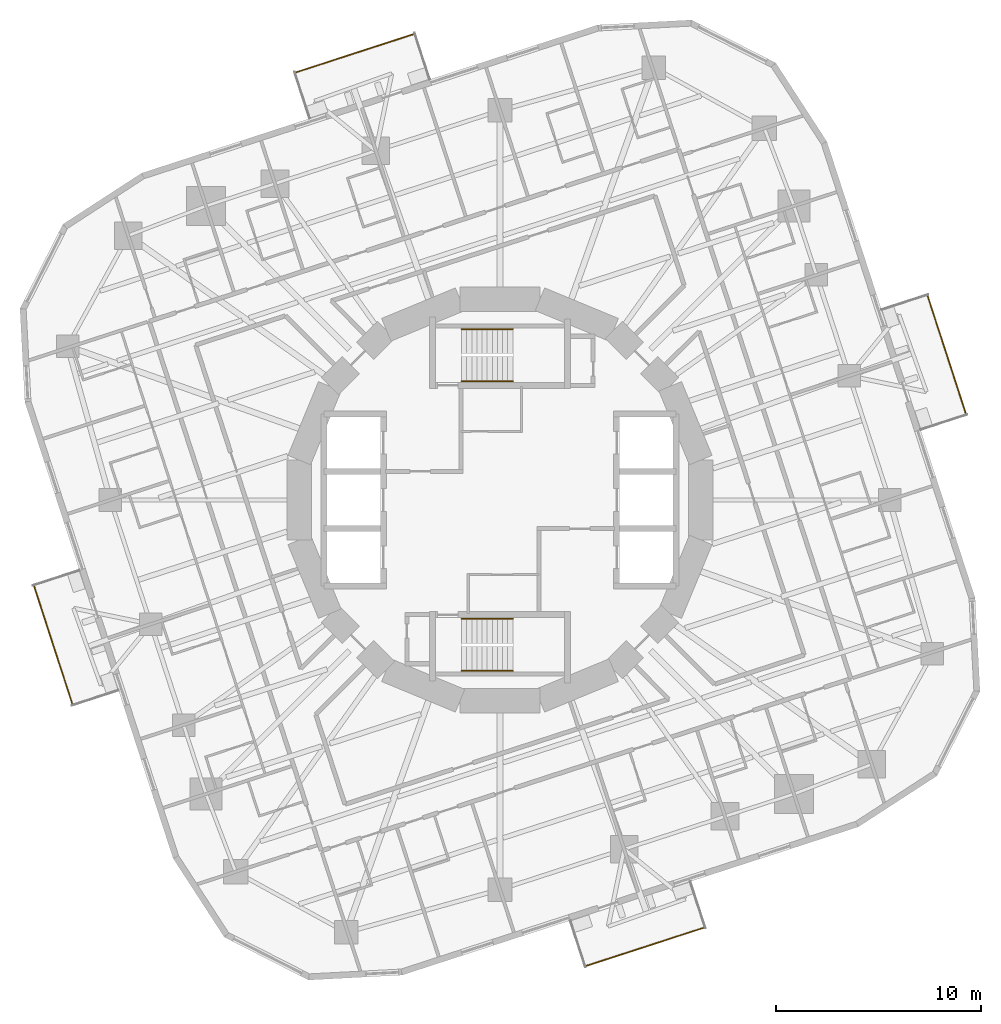
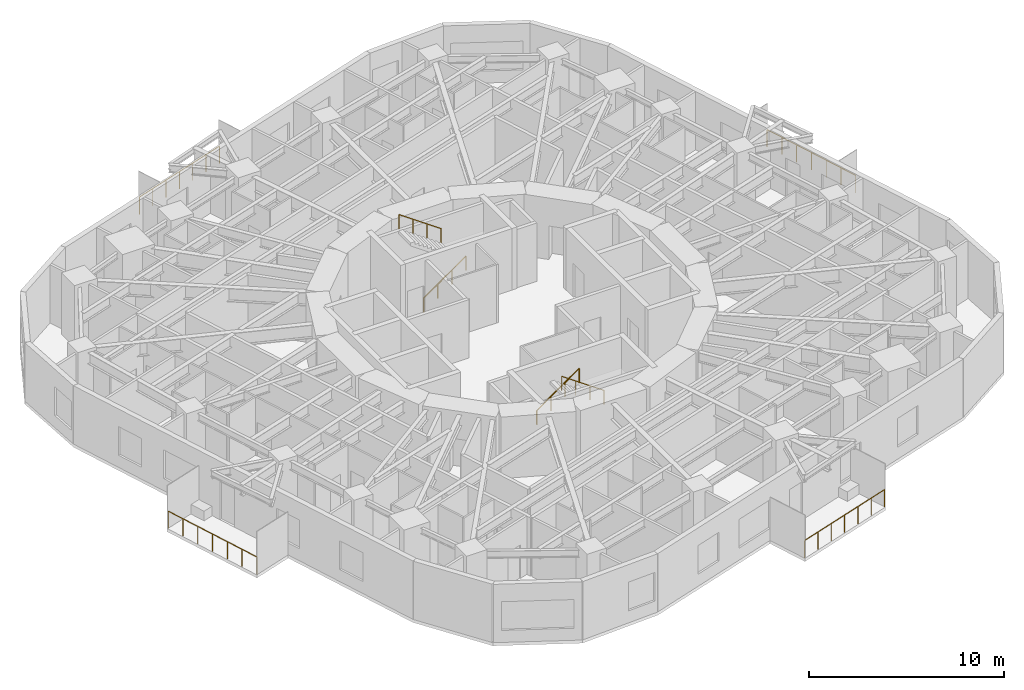
# One storey, part 11 of 12: 8 railings.
"""IFC4 building model written with IfcOpenShell, lengths in metres."""

import ifcopenshell
import ifcopenshell.guid

model = None  # the IFC model being written
_history = None  # IfcOwnerHistory: only IFC2X3 demands one
_inside = {}  # id of a spatial element -> (the spatial element, [elements in it])
_under = {}  # id of a project, library or spatial element -> (it, [spatial elements below it])
_declared = {}  # id of a project -> (the project, [libraries it declares])
_typed = {}  # id of a type object -> (the type object, [elements of that type])
_made_of = {}  # id of a material, layer set ... -> (it, [elements and type objects made of it])


def new_model(schema):
    """Start an empty IFC model of exactly this schema.

    Asked for "IFC4X3", IfcOpenShell would pick the latest addendum, in which some entities
    have other attributes; the version numbers below select the first issue.
    IFC2X3 requires an IfcOwnerHistory on every rooted entity: one is made here for all.
    """
    global model, _history
    if schema == "IFC4X3":
        model = ifcopenshell.file(schema_version=(4, 3, 0, 0))
    else:
        model = ifcopenshell.file(schema=schema)
    _inside.clear()
    _under.clear()
    _declared.clear()
    _typed.clear()
    _made_of.clear()
    _history = None
    if model.schema == "IFC2X3":
        org = make("IfcOrganization", Name="unknown")
        user = make(
            "IfcPersonAndOrganization",
            ThePerson=make("IfcPerson", FamilyName="unknown"),
            TheOrganization=org,
        )
        app = make(
            "IfcApplication",
            ApplicationDeveloper=org,
            Version="unknown",
            ApplicationFullName="unknown",
            ApplicationIdentifier="unknown",
        )
        _history = make(
            "IfcOwnerHistory",
            OwningUser=user,
            OwningApplication=app,
            ChangeAction="ADDED",
            CreationDate=0,
        )
    return model


def make(cls, **values):
    """One entity of the class cls with the attributes given. An attribute that is None is left unset."""
    return model.create_entity(
        cls, **{name: value for name, value in values.items() if value is not None}
    )


def rooted(cls, **values):
    """An entity with a GlobalId (a new one), such as an element, a storey or a relation."""
    return make(cls, GlobalId=ifcopenshell.guid.new(), OwnerHistory=_history, **values)


def si_unit(unit_type, name, prefix=None):
    """IfcSIUnit, for example si_unit("LENGTHUNIT", "METRE", prefix="MILLI")."""
    return make("IfcSIUnit", UnitType=unit_type, Prefix=prefix, Name=name)


def assignment(units):
    """IfcUnitAssignment: the units of a project."""
    return None if units is None else make("IfcUnitAssignment", Units=units)


def point(xyz):
    """IfcCartesianPoint."""
    return None if xyz is None else make("IfcCartesianPoint", Coordinates=xyz)


def direction(xyz):
    """IfcDirection."""
    return None if xyz is None else make("IfcDirection", DirectionRatios=xyz)


def frame(location, z_axis=None, x_axis=None):
    """IfcAxis2Placement3D, a coordinate frame: its origin and axes. An axis left out is left unset."""
    return make(
        "IfcAxis2Placement3D",
        Location=point(location),
        Axis=direction(z_axis),
        RefDirection=direction(x_axis),
    )


def frame_2d(location, x_axis=None):
    """IfcAxis2Placement2D, a coordinate frame in the plane: its origin and x axis."""
    return make(
        "IfcAxis2Placement2D", Location=point(location), RefDirection=direction(x_axis)
    )


def origin():
    """The frame at (0, 0, 0) with its axes left unset."""
    return frame((0.0, 0.0, 0.0))


def origin_2d():
    """The frame at (0, 0) in the plane with its x axis left unset."""
    return frame_2d((0.0, 0.0))


def place(relative_to, where):
    """IfcLocalPlacement: puts the frame where relative to a parent placement (None: the world)."""
    return make(
        "IfcLocalPlacement", PlacementRelTo=relative_to, RelativePlacement=where
    )


def context(
    kind, dimensions, precision=None, world=None, true_north=None, identifier=None
):
    """IfcGeometricRepresentationContext, for example the 3D "Model" context."""
    return make(
        "IfcGeometricRepresentationContext",
        ContextIdentifier=identifier,
        ContextType=kind,
        CoordinateSpaceDimension=dimensions,
        Precision=precision,
        WorldCoordinateSystem=world,
        TrueNorth=true_north,
    )


def subcontext(parent, identifier, kind, view, scale=None):
    """IfcGeometricRepresentationSubContext, for example "Body" below "Model"."""
    return make(
        "IfcGeometricRepresentationSubContext",
        ContextIdentifier=identifier,
        ContextType=kind,
        ParentContext=parent,
        TargetScale=scale,
        TargetView=view,
    )


def project(units=None, contexts=None):
    """IfcProject with its units and contexts."""
    return rooted(
        "IfcProject",
        Name="project",
        RepresentationContexts=contexts,
        UnitsInContext=assignment(units),
    )


def spatial(cls, under=None, at=None, **own):
    """A site, building, storey or space (cls), placed at a placement, below another one or the project."""
    s = rooted(cls, ObjectPlacement=at, **own)
    if under is not None:
        _under.setdefault(under.id(), (under, []))[1].append(s)
    return s


def profile(cls, at=None, kind="AREA", **sizes):
    """A parametric profile (cls). Its sizes go by their IFC names, for example OverallWidth=200.0."""
    return make(cls, ProfileType=kind, Position=at, **sizes)


def circle(**sizes):
    """IfcCircleProfileDef."""
    return profile("IfcCircleProfileDef", **sizes)


def extrude(swept, where, along, depth):
    """IfcExtrudedAreaSolid: the profile swept, set in the frame where, extruded along a direction by depth."""
    return make(
        "IfcExtrudedAreaSolid",
        SweptArea=swept,
        Position=where,
        ExtrudedDirection=direction(along),
        Depth=depth,
    )


def shape(context_of_items, identifier, shape_type, items):
    """IfcShapeRepresentation: the items that make up one representation, for example the "Body"."""
    return make(
        "IfcShapeRepresentation",
        ContextOfItems=context_of_items,
        RepresentationIdentifier=identifier,
        RepresentationType=shape_type,
        Items=items,
    )


def material(Name=None, Category=None):
    """IfcMaterial."""
    return make("IfcMaterial", Name=Name, Category=Category)


def made_of(thing, what):
    """Note that an element or type object is made of a material, layer set ...; save() writes the relation."""
    if what is not None:
        _made_of.setdefault(what.id(), (what, []))[1].append(thing)
    return thing


def type_object(cls, material=None, **own):
    """A type object (cls), such as IfcWallType, which elements share."""
    return made_of(rooted(cls, **own), material)


def element(
    cls,
    number,
    at=None,
    inside=None,
    cuts=None,
    type_object=None,
    material=None,
    context=None,
    identifier="Body",
    shape_type=None,
    held_by="IfcProductDefinitionShape",
    body=None,
    shapes=None,
    **own,
):
    """One element of the class cls, such as IfcWall. Its Tag is "e" and its number.

    at: its placement. inside: the storey or other place that contains it. cuts: it is an
    opening in that element (IfcRelVoidsElement). A single representation is given by context,
    identifier, shape_type and body (its items); several are given by shapes. held_by: the class
    of the entity that holds the representations. save() writes the other relations.
    """
    e = rooted(cls, Tag="e%d" % number, ObjectPlacement=at, **own)
    if body is not None:
        shapes = [shape(context, identifier, shape_type, body)]
    if shapes is not None:
        e.Representation = make(held_by, Representations=shapes)
    if inside is not None:
        _inside.setdefault(inside.id(), (inside, []))[1].append(e)
    if cuts is not None:
        rooted(
            "IfcRelVoidsElement", RelatingBuildingElement=cuts, RelatedOpeningElement=e
        )
    if type_object is not None:
        _typed.setdefault(type_object.id(), (type_object, []))[1].append(e)
    return made_of(e, material)


def aggregate(whole, parts):
    """IfcRelAggregates: a whole, such as a stair, and the parts it consists of."""
    return rooted("IfcRelAggregates", RelatingObject=whole, RelatedObjects=parts)


def save(model, path):
    """Write the relations noted so far, then the file.

    IfcRelAggregates (storeys below a building ...), IfcRelContainedInSpatialStructure (elements
    in a storey), IfcRelDefinesByType, IfcRelAssociatesMaterial and IfcRelDeclares: one each for
    every whole, place, type object, material and project.
    """
    for whole, parts in _under.values():
        aggregate(whole, parts)
    for where, things in _inside.values():
        rooted(
            "IfcRelContainedInSpatialStructure",
            RelatedElements=things,
            RelatingStructure=where,
        )
    for kind, things in _typed.values():
        rooted("IfcRelDefinesByType", RelatedObjects=things, RelatingType=kind)
    for what, things in _made_of.values():
        rooted("IfcRelAssociatesMaterial", RelatedObjects=things, RelatingMaterial=what)
    for by, libraries in _declared.values():
        rooted("IfcRelDeclares", RelatingContext=by, RelatedDefinitions=libraries)
    model.write(path)


model = new_model("IFC4")

# Units and contexts
model_context = context("Model", 3, precision=1e-05, world=origin(), true_north=direction((0.0, 1.0)))
body_context = subcontext(model_context, "Body", "Model", "MODEL_VIEW")
ifc_project = project(units=[si_unit("LENGTHUNIT", "METRE"), si_unit("AREAUNIT", "SQUARE_METRE"), si_unit("VOLUMEUNIT", "CUBIC_METRE"), si_unit("PLANEANGLEUNIT", "RADIAN"), si_unit("MASSUNIT", "GRAM", prefix="KILO")], contexts=[model_context])

# Site, building, storey
site_placement = place(None, origin())
site = spatial("IfcSite", under=ifc_project, at=site_placement, CompositionType="ELEMENT")
building_placement = place(site_placement, origin())
building = spatial("IfcBuilding", under=site, at=building_placement, Name="Nakasero Lantern House", CompositionType="ELEMENT")
storey_placement = place(building_placement, frame((0.0, 0.0, 168.75)))
storey = spatial("IfcBuildingStorey", under=building, at=storey_placement, Name="L41", CompositionType="ELEMENT", Elevation=168.75)

# Railings
ifc_material_1 = material(Name="Aluminium 6063-T6", Category="aluminium")
railing_type_1 = type_object("IfcRailingType", Name="Balcony guard 1100", PredefinedType="BALUSTRADE", material=ifc_material_1)
railing_1_placement = place(storey_placement, frame((22.7724609375, 4.181640625, 0.0)))
element("IfcRailing", 1, at=railing_1_placement, inside=storey, type_object=railing_type_1, Name="Balcony guard L41 BAL0", PredefinedType="BALUSTRADE", context=body_context, shape_type="SweptSolid", body=[
    extrude(circle(Radius=0.02392578125, at=origin_2d()), frame((0.0, 0.0, 1.076171875), z_axis=(-0.309038265471, 0.951049604634, 0.0), x_axis=(-0.951049604634, -0.309038265471, 0.0)), (0.0, 0.0, 1.0), 6.1201171875),
    extrude(circle(Radius=0.02099609375, at=origin_2d()), origin(), (0.0, 0.0, 1.0), 1.052001953125),
    extrude(circle(Radius=0.02099609375, at=origin_2d()), frame((-0.315185546875, 0.97021484375, 0.0)), (0.0, 0.0, 1.0), 1.052001953125),
    extrude(circle(Radius=0.02099609375, at=origin_2d()), frame((-0.63037109375, 1.940185546875, 0.0)), (0.0, 0.0, 1.0), 1.052001953125),
    extrude(circle(Radius=0.02099609375, at=origin_2d()), frame((-0.94580078125, 2.91015625, 0.0)), (0.0, 0.0, 1.0), 1.052001953125),
    extrude(circle(Radius=0.02099609375, at=origin_2d()), frame((-1.260986328125, 3.88037109375, 0.0)), (0.0, 0.0, 1.0), 1.052001953125),
    extrude(circle(Radius=0.02099609375, at=origin_2d()), frame((-1.576171875, 4.8505859375, 0.0)), (0.0, 0.0, 1.0), 1.052001953125),
    extrude(circle(Radius=0.02099609375, at=origin_2d()), frame((-1.891357421875, 5.820556640625, 0.0)), (0.0, 0.0, 1.0), 1.052001953125),
])
railing_2_placement = place(storey_placement, frame((-4.181640625, 22.7724609375, 0.0)))
element("IfcRailing", 2, at=railing_2_placement, inside=storey, type_object=railing_type_1, Name="Balcony guard L41 BAL1", PredefinedType="BALUSTRADE", context=body_context, shape_type="SweptSolid", body=[
    extrude(circle(Radius=0.02392578125, at=origin_2d()), frame((0.0, 0.0, 1.076171875), z_axis=(-0.951049604634, -0.309038265471, 0.0), x_axis=(0.309038265471, -0.951049604634, 0.0)), (0.0, 0.0, 1.0), 6.1201171875),
    extrude(circle(Radius=0.02099609375, at=origin_2d()), origin(), (0.0, 0.0, 1.0), 1.052001953125),
    extrude(circle(Radius=0.02099609375, at=origin_2d()), frame((-0.97021484375, -0.315185546875, 0.0)), (0.0, 0.0, 1.0), 1.052001953125),
    extrude(circle(Radius=0.02099609375, at=origin_2d()), frame((-1.940185546875, -0.63037109375, 0.0)), (0.0, 0.0, 1.0), 1.052001953125),
    extrude(circle(Radius=0.02099609375, at=origin_2d()), frame((-2.91015625, -0.94580078125, 0.0)), (0.0, 0.0, 1.0), 1.052001953125),
    extrude(circle(Radius=0.02099609375, at=origin_2d()), frame((-3.88037109375, -1.260986328125, 0.0)), (0.0, 0.0, 1.0), 1.052001953125),
    extrude(circle(Radius=0.02099609375, at=origin_2d()), frame((-4.8505859375, -1.576171875, 0.0)), (0.0, 0.0, 1.0), 1.052001953125),
    extrude(circle(Radius=0.02099609375, at=origin_2d()), frame((-5.820556640625, -1.891357421875, 0.0)), (0.0, 0.0, 1.0), 1.052001953125),
])
railing_3_placement = place(storey_placement, frame((-22.7724609375, -4.181640625, 0.0)))
element("IfcRailing", 3, at=railing_3_placement, inside=storey, type_object=railing_type_1, Name="Balcony guard L41 BAL2", PredefinedType="BALUSTRADE", context=body_context, shape_type="SweptSolid", body=[
    extrude(circle(Radius=0.02392578125, at=origin_2d()), frame((0.0, 0.0, 1.076171875), z_axis=(0.309038265471, -0.951049604634, 0.0), x_axis=(0.951049604634, 0.309038265471, 0.0)), (0.0, 0.0, 1.0), 6.1201171875),
    extrude(circle(Radius=0.02099609375, at=origin_2d()), origin(), (0.0, 0.0, 1.0), 1.052001953125),
    extrude(circle(Radius=0.02099609375, at=origin_2d()), frame((0.315185546875, -0.97021484375, 0.0)), (0.0, 0.0, 1.0), 1.052001953125),
    extrude(circle(Radius=0.02099609375, at=origin_2d()), frame((0.63037109375, -1.940185546875, 0.0)), (0.0, 0.0, 1.0), 1.052001953125),
    extrude(circle(Radius=0.02099609375, at=origin_2d()), frame((0.94580078125, -2.91015625, 0.0)), (0.0, 0.0, 1.0), 1.052001953125),
    extrude(circle(Radius=0.02099609375, at=origin_2d()), frame((1.260986328125, -3.88037109375, 0.0)), (0.0, 0.0, 1.0), 1.052001953125),
    extrude(circle(Radius=0.02099609375, at=origin_2d()), frame((1.576171875, -4.8505859375, 0.0)), (0.0, 0.0, 1.0), 1.052001953125),
    extrude(circle(Radius=0.02099609375, at=origin_2d()), frame((1.891357421875, -5.820556640625, 0.0)), (0.0, 0.0, 1.0), 1.052001953125),
])
railing_4_placement = place(storey_placement, frame((4.181640625, -22.7724609375, 0.0)))
element("IfcRailing", 4, at=railing_4_placement, inside=storey, type_object=railing_type_1, Name="Balcony guard L41 BAL3", PredefinedType="BALUSTRADE", context=body_context, shape_type="SweptSolid", body=[
    extrude(circle(Radius=0.02392578125, at=origin_2d()), frame((0.0, 0.0, 1.076171875), z_axis=(0.951049604634, 0.309038265471, 0.0), x_axis=(-0.309038265471, 0.951049604634, 0.0)), (0.0, 0.0, 1.0), 6.1201171875),
    extrude(circle(Radius=0.02099609375, at=origin_2d()), origin(), (0.0, 0.0, 1.0), 1.052001953125),
    extrude(circle(Radius=0.02099609375, at=origin_2d()), frame((0.97021484375, 0.315185546875, 0.0)), (0.0, 0.0, 1.0), 1.052001953125),
    extrude(circle(Radius=0.02099609375, at=origin_2d()), frame((1.940185546875, 0.63037109375, 0.0)), (0.0, 0.0, 1.0), 1.052001953125),
    extrude(circle(Radius=0.02099609375, at=origin_2d()), frame((2.91015625, 0.94580078125, 0.0)), (0.0, 0.0, 1.0), 1.052001953125),
    extrude(circle(Radius=0.02099609375, at=origin_2d()), frame((3.88037109375, 1.260986328125, 0.0)), (0.0, 0.0, 1.0), 1.052001953125),
    extrude(circle(Radius=0.02099609375, at=origin_2d()), frame((4.8505859375, 1.576171875, 0.0)), (0.0, 0.0, 1.0), 1.052001953125),
    extrude(circle(Radius=0.02099609375, at=origin_2d()), frame((5.820556640625, 1.891357421875, 0.0)), (0.0, 0.0, 1.0), 1.052001953125),
])
ifc_material_2 = material(Name="Stainless steel 316", Category="steel")
railing_type_2 = type_object("IfcRailingType", Name="Stair handrail 900", PredefinedType="HANDRAIL", material=ifc_material_2)
railing_5_placement = place(storey_placement, frame((-1.875, 5.800048828125, 0.175048828125)))
element("IfcRailing", 5, at=railing_5_placement, inside=storey, type_object=railing_type_2, Name="Handrail ST1 L41 flight 1", PredefinedType="HANDRAIL", context=body_context, shape_type="SweptSolid", body=[
    extrude(circle(Radius=0.02392578125, at=origin_2d()), frame((0.0, 0.0, 0.8759765625), z_axis=(0.819231920519, 0.0, 0.573462344363), x_axis=(0.0, 1.0, 0.0)), (0.0, 0.0, 1.0), 3.0517578125),
    extrude(circle(Radius=0.02099609375, at=origin_2d()), origin(), (0.0, 0.0, 1.0), 0.851806640625),
    extrude(circle(Radius=0.02099609375, at=origin_2d()), frame((0.833251953125, 0.0, 0.583251953125)), (0.0, 0.0, 1.0), 0.851806640625),
    extrude(circle(Radius=0.02099609375, at=origin_2d()), frame((1.666748046875, 0.0, 1.166748046875)), (0.0, 0.0, 1.0), 0.851806640625),
    extrude(circle(Radius=0.02099609375, at=origin_2d()), frame((2.5, 0.0, 1.75)), (0.0, 0.0, 1.0), 0.851806640625),
])
railing_6_placement = place(storey_placement, frame((0.625, 8.35009765625, 2.10009765625)))
element("IfcRailing", 6, at=railing_6_placement, inside=storey, type_object=railing_type_2, Name="Handrail ST1 L41 flight 2", PredefinedType="HANDRAIL", context=body_context, shape_type="SweptSolid", body=[
    extrude(circle(Radius=0.02392578125, at=origin_2d()), frame((0.0, 0.0, 0.8759765625), z_axis=(-0.819231920519, 0.0, 0.573462344363), x_axis=(0.0, -1.0, 0.0)), (0.0, 0.0, 1.0), 3.0517578125),
    extrude(circle(Radius=0.02099609375, at=origin_2d()), origin(), (0.0, 0.0, 1.0), 0.851806640625),
    extrude(circle(Radius=0.02099609375, at=origin_2d()), frame((-0.833251953125, 0.0, 0.583251953125)), (0.0, 0.0, 1.0), 0.851806640625),
    extrude(circle(Radius=0.02099609375, at=origin_2d()), frame((-1.666748046875, 0.0, 1.166748046875)), (0.0, 0.0, 1.0), 0.851806640625),
    extrude(circle(Radius=0.02099609375, at=origin_2d()), frame((-2.5, 0.0, 1.75)), (0.0, 0.0, 1.0), 0.851806640625),
])
railing_7_placement = place(storey_placement, frame((-1.875, -5.800048828125, 0.175048828125)))
element("IfcRailing", 7, at=railing_7_placement, inside=storey, type_object=railing_type_2, Name="Handrail ST2 L41 flight 1", PredefinedType="HANDRAIL", context=body_context, shape_type="SweptSolid", body=[
    extrude(circle(Radius=0.02392578125, at=origin_2d()), frame((0.0, 0.0, 0.8759765625), z_axis=(0.819231920519, 0.0, 0.573462344363), x_axis=(0.0, 1.0, 0.0)), (0.0, 0.0, 1.0), 3.0517578125),
    extrude(circle(Radius=0.02099609375, at=origin_2d()), origin(), (0.0, 0.0, 1.0), 0.851806640625),
    extrude(circle(Radius=0.02099609375, at=origin_2d()), frame((0.833251953125, 0.0, 0.583251953125)), (0.0, 0.0, 1.0), 0.851806640625),
    extrude(circle(Radius=0.02099609375, at=origin_2d()), frame((1.666748046875, 0.0, 1.166748046875)), (0.0, 0.0, 1.0), 0.851806640625),
    extrude(circle(Radius=0.02099609375, at=origin_2d()), frame((2.5, 0.0, 1.75)), (0.0, 0.0, 1.0), 0.851806640625),
])
railing_8_placement = place(storey_placement, frame((0.625, -8.35009765625, 2.10009765625)))
element("IfcRailing", 8, at=railing_8_placement, inside=storey, type_object=railing_type_2, Name="Handrail ST2 L41 flight 2", PredefinedType="HANDRAIL", context=body_context, shape_type="SweptSolid", body=[
    extrude(circle(Radius=0.02392578125, at=origin_2d()), frame((0.0, 0.0, 0.8759765625), z_axis=(-0.819231920519, 0.0, 0.573462344363), x_axis=(0.0, -1.0, 0.0)), (0.0, 0.0, 1.0), 3.0517578125),
    extrude(circle(Radius=0.02099609375, at=origin_2d()), origin(), (0.0, 0.0, 1.0), 0.851806640625),
    extrude(circle(Radius=0.02099609375, at=origin_2d()), frame((-0.833251953125, 0.0, 0.583251953125)), (0.0, 0.0, 1.0), 0.851806640625),
    extrude(circle(Radius=0.02099609375, at=origin_2d()), frame((-1.666748046875, 0.0, 1.166748046875)), (0.0, 0.0, 1.0), 0.851806640625),
    extrude(circle(Radius=0.02099609375, at=origin_2d()), frame((-2.5, 0.0, 1.75)), (0.0, 0.0, 1.0), 0.851806640625),
])

save(model, "model.ifc")
